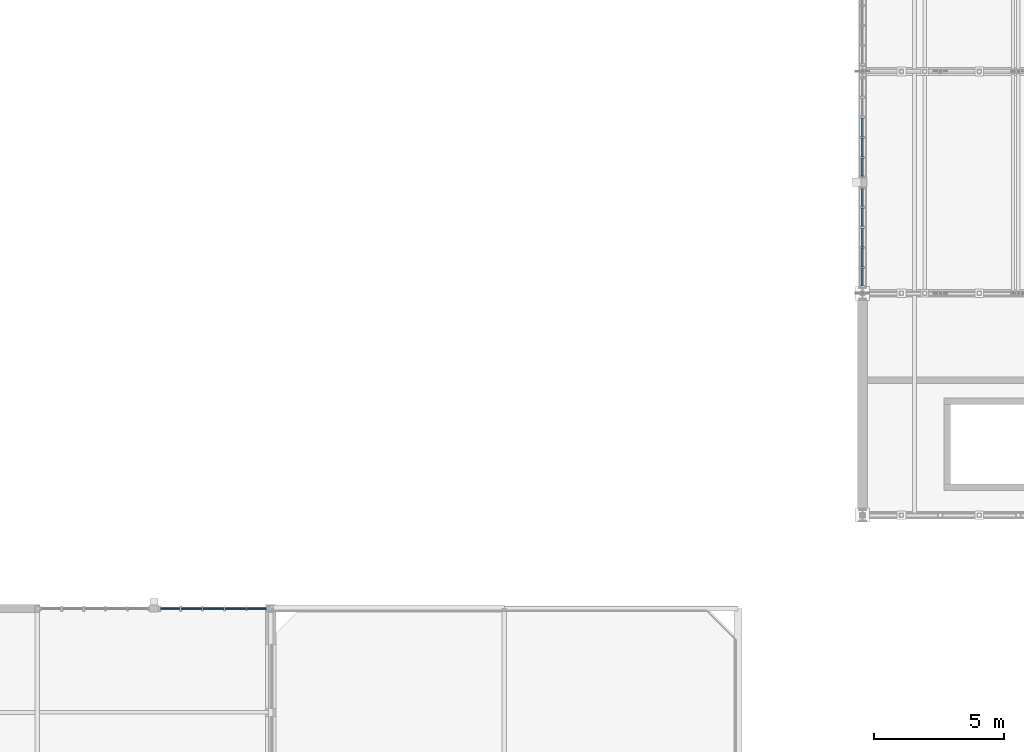
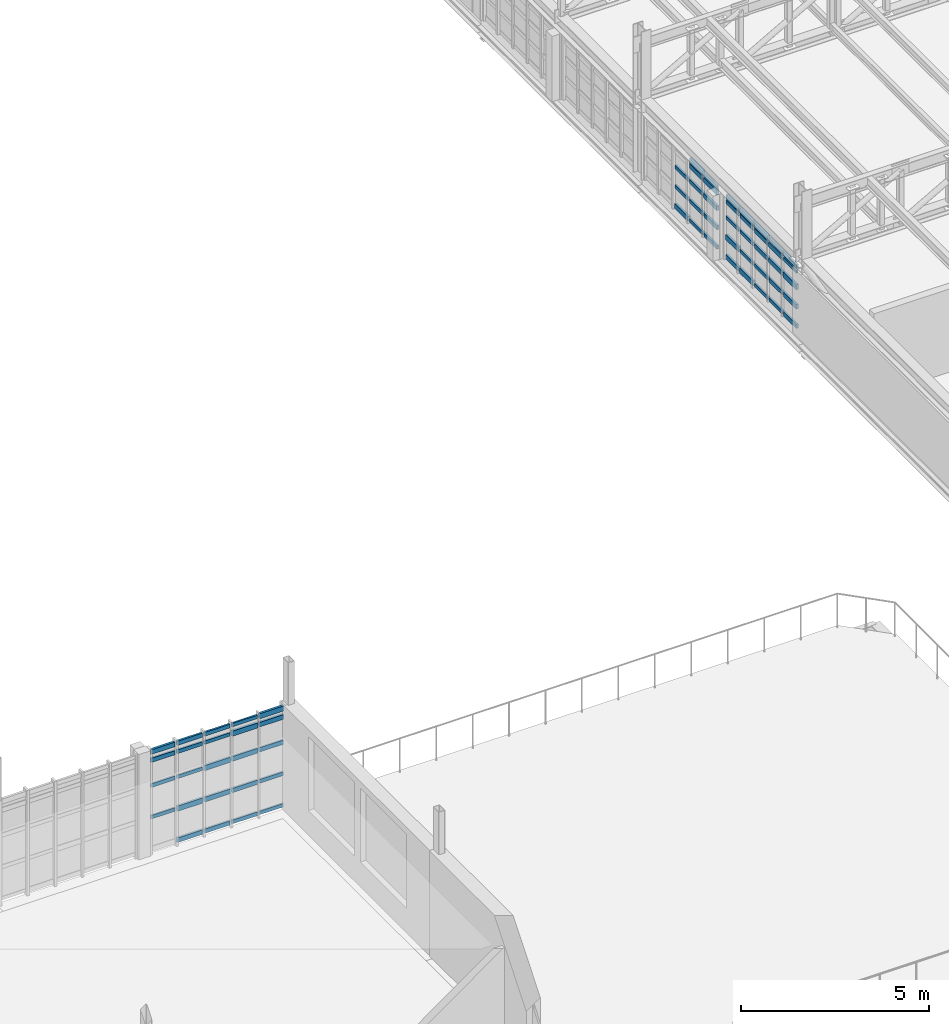
# One storey, part 75 of 128: 62 members, 3 elements without a shape of their own.
"""IFC4 building model written with IfcOpenShell, lengths in metres."""

from ifc_helpers import new_model, si_unit, direction, frame, origin, origin_2d, place, context, subcontext, project, spatial, rectangle, extrude, material, material_profile, profile_set, type_object, element, aggregate, save


model = new_model("IFC4")

# Units and contexts
model_context = context("Model", 3, precision=1e-05, world=origin(), true_north=direction((0.0, 1.0)))
body_context = subcontext(model_context, "Body", "Model", "MODEL_VIEW")
ifc_project = project(units=[si_unit("LENGTHUNIT", "METRE"), si_unit("AREAUNIT", "SQUARE_METRE"), si_unit("VOLUMEUNIT", "CUBIC_METRE"), si_unit("PLANEANGLEUNIT", "RADIAN"), si_unit("MASSUNIT", "GRAM", prefix="KILO")], contexts=[model_context])

# Site, building, storey
site_placement = place(None, origin())
site = spatial("IfcSite", under=ifc_project, at=site_placement, CompositionType="ELEMENT")
building_placement = place(site_placement, origin())
building = spatial("IfcBuilding", under=site, at=building_placement, Name="Serraforn Aerial Cableway Station", CompositionType="ELEMENT")
storey_placement = place(building_placement, frame((0.0, 0.0, 9.0)))
storey = spatial("IfcBuildingStorey", under=building, at=storey_placement, Name="L02", CompositionType="ELEMENT", Elevation=9.0)

# Curtain wall, members
ifc_material_1 = material(Name="Anodised bronze unitised curtain wall")
curtain_wall_type_1 = type_object("IfcCurtainWallType", Name="CW-SYS-1", PredefinedType="USERDEFINED", material=ifc_material_1)
curtain_wall_1_placement = place(storey_placement, origin())
curtain_wall_1 = element("IfcCurtainWall", 1, at=curtain_wall_1_placement, inside=storey, type_object=curtain_wall_type_1, Name="Unitised Curtain Wall CW-EL-L02-N3A", ObjectType="UNITISED CURTAIN WALL", PredefinedType="USERDEFINED")
ifc_material_2 = material(Name="Anodised bronze extruded aluminium", Category="aluminium")
ifc_material_profile_1 = material_profile(ifc_material_2, rectangle(XDim=0.054931640625, YDim=0.110107421875, at=origin_2d()), Name="CW TRANSOM 55x110")
ifc_profile_set_1 = profile_set([ifc_material_profile_1], Name="Anodised bronze extruded aluminium")
member_type_1 = type_object("IfcMemberType", Name="CW-TRN-1", PredefinedType="USERDEFINED", material=ifc_profile_set_1)
member_1_placement = place(storey_placement, frame((121.029052734375, 42.0, 0.13671875), z_axis=(-1.0, 0.0, 0.0), x_axis=(0.0, -1.0, 0.0)))
member_1 = element("IfcMember", 2, at=member_1_placement, type_object=member_type_1, Name="Curtain Wall Transom CW-EL-L02-N3A-T1-1", ObjectType="TRANSOM", PredefinedType="USERDEFINED", context=body_context, shape_type="SweptSolid", body=[
    extrude(rectangle(XDim=0.054931640625, YDim=0.110107421875, at=origin_2d()), origin(), (0.0, 0.0, 1.0), 0.745849609375),
])
member_2_placement = place(storey_placement, frame((120.232177734375, 42.0, 3.283203125), z_axis=(-1.0, 0.0, 0.0), x_axis=(0.0, -1.0, 0.0)))
member_2 = element("IfcMember", 3, at=member_2_placement, type_object=member_type_1, Name="Curtain Wall Transom CW-EL-L02-N3A-T2-5", ObjectType="TRANSOM", PredefinedType="USERDEFINED", context=body_context, shape_type="SweptSolid", body=[
    extrude(rectangle(XDim=0.054931640625, YDim=0.110107421875, at=origin_2d()), origin(), (0.0, 0.0, 1.0), 0.791015625),
])
member_3_placement = place(storey_placement, frame((119.38525390625, 42.0, 3.009521484375), z_axis=(-1.0, 0.0, 0.0), x_axis=(0.0, -1.0, 0.0)))
member_3 = element("IfcMember", 4, at=member_3_placement, type_object=member_type_1, Name="Curtain Wall Transom CW-EL-L02-N3A-T3-4", ObjectType="TRANSOM", PredefinedType="USERDEFINED", context=body_context, shape_type="SweptSolid", body=[
    extrude(rectangle(XDim=0.054931640625, YDim=0.110107421875, at=origin_2d()), origin(), (0.0, 0.0, 1.0), 0.785888671875),
])
member_4_placement = place(storey_placement, frame((118.538330078125, 42.0, 2.188720703125), z_axis=(-1.0, 0.0, 0.0), x_axis=(0.0, -1.0, 0.0)))
member_4 = element("IfcMember", 5, at=member_4_placement, type_object=member_type_1, Name="Curtain Wall Transom CW-EL-L02-N3A-T4-3", ObjectType="TRANSOM", PredefinedType="USERDEFINED", context=body_context, shape_type="SweptSolid", body=[
    extrude(rectangle(XDim=0.054931640625, YDim=0.110107421875, at=origin_2d()), origin(), (0.0, 0.0, 1.0), 0.781005859375),
])
member_5_placement = place(storey_placement, frame((117.69140625, 42.0, 1.162841796875), z_axis=(-1.0, 0.0, 0.0), x_axis=(0.0, -1.0, 0.0)))
member_5 = element("IfcMember", 6, at=member_5_placement, type_object=member_type_1, Name="Curtain Wall Transom CW-EL-L02-N3A-T5-2", ObjectType="TRANSOM", PredefinedType="USERDEFINED", context=body_context, shape_type="SweptSolid", body=[
    extrude(rectangle(XDim=0.054931640625, YDim=0.110107421875, at=origin_2d()), origin(), (0.0, 0.0, 1.0), 0.738525390625),
])

curtain_wall_type_2 = type_object("IfcCurtainWallType", Name="CW-SYS-23", PredefinedType="USERDEFINED", material=ifc_material_1)
curtain_wall_2_placement = place(storey_placement, origin())
curtain_wall_2 = element("IfcCurtainWall", 7, at=curtain_wall_2_placement, inside=storey, type_object=curtain_wall_type_2, Name="Unitised Curtain Wall CW-EG-L02-W2A", ObjectType="UNITISED CURTAIN WALL", PredefinedType="USERDEFINED")
member_6_placement = place(storey_placement, frame((144.0, 60.895263671875, 0.720703125), z_axis=(0.0, -1.0, 0.0), x_axis=(1.0, 0.0, 0.0)))
member_6 = element("IfcMember", 8, at=member_6_placement, type_object=member_type_1, Name="Curtain Wall Transom CW-EG-L02-W2A-T3-2", ObjectType="TRANSOM", PredefinedType="USERDEFINED", context=body_context, shape_type="SweptSolid", body=[
    extrude(rectangle(XDim=0.054931640625, YDim=0.110107421875, at=origin_2d()), origin(), (0.0, 0.0, 1.0), 0.7060546875),
])
member_7_placement = place(storey_placement, frame((144.0, 60.118408203125, 0.084716796875), z_axis=(0.0, -1.0, 0.0), x_axis=(1.0, 0.0, 0.0)))
member_7 = element("IfcMember", 9, at=member_7_placement, type_object=member_type_1, Name="Curtain Wall Transom CW-EG-L02-W2A-T4-1", ObjectType="TRANSOM", PredefinedType="USERDEFINED", context=body_context, shape_type="SweptSolid", body=[
    extrude(rectangle(XDim=0.054931640625, YDim=0.110107421875, at=origin_2d()), origin(), (0.0, 0.0, 1.0), 0.713623046875),
])
member_8_placement = place(storey_placement, frame((144.0, 59.35400390625, 2.03515625), z_axis=(0.0, -1.0, 0.0), x_axis=(1.0, 0.0, 0.0)))
member_8 = element("IfcMember", 10, at=member_8_placement, type_object=member_type_1, Name="Curtain Wall Transom CW-EG-L02-W2A-T5-5", ObjectType="TRANSOM", PredefinedType="USERDEFINED", context=body_context, shape_type="SweptSolid", body=[
    extrude(rectangle(XDim=0.054931640625, YDim=0.110107421875, at=origin_2d()), origin(), (0.0, 0.0, 1.0), 0.69091796875),
])

curtain_wall_type_3 = type_object("IfcCurtainWallType", Name="CW-SYS-24", PredefinedType="USERDEFINED", material=ifc_material_1)
curtain_wall_3_placement = place(storey_placement, origin())
curtain_wall_3 = element("IfcCurtainWall", 11, at=curtain_wall_3_placement, inside=storey, type_object=curtain_wall_type_3, Name="Unitised Curtain Wall CW-EG-L02-W2B", ObjectType="UNITISED CURTAIN WALL", PredefinedType="USERDEFINED")
member_9_placement = place(storey_placement, frame((144.0, 58.181884765625, 1.356689453125), z_axis=(0.0, -1.0, 0.0), x_axis=(1.0, 0.0, 0.0)))
member_9 = element("IfcMember", 12, at=member_9_placement, type_object=member_type_1, Name="Curtain Wall Transom CW-EG-L02-W2B-T1-3", ObjectType="TRANSOM", PredefinedType="USERDEFINED", context=body_context, shape_type="SweptSolid", body=[
    extrude(rectangle(XDim=0.054931640625, YDim=0.110107421875, at=origin_2d()), origin(), (0.0, 0.0, 1.0), 0.67822265625),
])
member_10_placement = place(storey_placement, frame((144.0, 57.4375, 0.720703125), z_axis=(0.0, -1.0, 0.0), x_axis=(1.0, 0.0, 0.0)))
member_10 = element("IfcMember", 13, at=member_10_placement, type_object=member_type_1, Name="Curtain Wall Transom CW-EG-L02-W2B-T2-2", ObjectType="TRANSOM", PredefinedType="USERDEFINED", context=body_context, shape_type="SweptSolid", body=[
    extrude(rectangle(XDim=0.054931640625, YDim=0.110107421875, at=origin_2d()), origin(), (0.0, 0.0, 1.0), 0.705810546875),
])
member_11_placement = place(storey_placement, frame((144.0, 56.66064453125, 0.084716796875), z_axis=(0.0, -1.0, 0.0), x_axis=(1.0, 0.0, 0.0)))
member_11 = element("IfcMember", 14, at=member_11_placement, type_object=member_type_1, Name="Curtain Wall Transom CW-EG-L02-W2B-T3-1", ObjectType="TRANSOM", PredefinedType="USERDEFINED", context=body_context, shape_type="SweptSolid", body=[
    extrude(rectangle(XDim=0.054931640625, YDim=0.110107421875, at=origin_2d()), origin(), (0.0, 0.0, 1.0), 0.71337890625),
])
member_12_placement = place(storey_placement, frame((144.0, 55.896240234375, 2.03515625), z_axis=(0.0, -1.0, 0.0), x_axis=(1.0, 0.0, 0.0)))
member_12 = element("IfcMember", 15, at=member_12_placement, type_object=member_type_1, Name="Curtain Wall Transom CW-EG-L02-W2B-T4-5", ObjectType="TRANSOM", PredefinedType="USERDEFINED", context=body_context, shape_type="SweptSolid", body=[
    extrude(rectangle(XDim=0.054931640625, YDim=0.110107421875, at=origin_2d()), origin(), (0.0, 0.0, 1.0), 0.720947265625),
])
member_13_placement = place(storey_placement, frame((144.0, 55.119384765625, 1.865478515625), z_axis=(0.0, -1.0, 0.0), x_axis=(1.0, 0.0, 0.0)))
member_13 = element("IfcMember", 16, at=member_13_placement, type_object=member_type_1, Name="Curtain Wall Transom CW-EG-L02-W2B-T5-4", ObjectType="TRANSOM", PredefinedType="USERDEFINED", context=body_context, shape_type="SweptSolid", body=[
    extrude(rectangle(XDim=0.054931640625, YDim=0.110107421875, at=origin_2d()), origin(), (0.0, 0.0, 1.0), 0.683349609375),
])

# Member
ifc_material_profile_2 = material_profile(ifc_material_2, rectangle(XDim=0.06005859375, YDim=0.1201171875, at=origin_2d()), Name="CW TRANSOM 60x120")
ifc_profile_set_2 = profile_set([ifc_material_profile_2], Name="Anodised bronze extruded aluminium")
member_type_2 = type_object("IfcMemberType", Name="CW-TRN-2", PredefinedType="USERDEFINED", material=ifc_profile_set_2)
member_14_placement = place(storey_placement, frame((121.029052734375, 42.0, 1.162841796875), z_axis=(-1.0, 0.0, 0.0), x_axis=(0.0, -1.0, 0.0)))
member_14 = element("IfcMember", 17, at=member_14_placement, type_object=member_type_2, Name="Curtain Wall Transom CW-EL-L02-N3A-T1-2", ObjectType="TRANSOM", PredefinedType="USERDEFINED", context=body_context, shape_type="SweptSolid", body=[
    extrude(rectangle(XDim=0.06005859375, YDim=0.1201171875, at=origin_2d()), origin(), (0.0, 0.0, 1.0), 0.745849609375),
])

member_15_placement = place(storey_placement, frame((120.232177734375, 42.0, 0.13671875), z_axis=(-1.0, 0.0, 0.0), x_axis=(0.0, -1.0, 0.0)))
member_15 = element("IfcMember", 18, at=member_15_placement, type_object=member_type_2, Name="Curtain Wall Transom CW-EL-L02-N3A-T2-1", ObjectType="TRANSOM", PredefinedType="USERDEFINED", context=body_context, shape_type="SweptSolid", body=[
    extrude(rectangle(XDim=0.06005859375, YDim=0.1201171875, at=origin_2d()), origin(), (0.0, 0.0, 1.0), 0.791015625),
])

member_16_placement = place(storey_placement, frame((119.38525390625, 42.0, 3.283203125), z_axis=(-1.0, 0.0, 0.0), x_axis=(0.0, -1.0, 0.0)))
member_16 = element("IfcMember", 19, at=member_16_placement, type_object=member_type_2, Name="Curtain Wall Transom CW-EL-L02-N3A-T3-5", ObjectType="TRANSOM", PredefinedType="USERDEFINED", context=body_context, shape_type="SweptSolid", body=[
    extrude(rectangle(XDim=0.06005859375, YDim=0.1201171875, at=origin_2d()), origin(), (0.0, 0.0, 1.0), 0.785888671875),
])

member_17_placement = place(storey_placement, frame((118.538330078125, 42.0, 3.009521484375), z_axis=(-1.0, 0.0, 0.0), x_axis=(0.0, -1.0, 0.0)))
member_17 = element("IfcMember", 20, at=member_17_placement, type_object=member_type_2, Name="Curtain Wall Transom CW-EL-L02-N3A-T4-4", ObjectType="TRANSOM", PredefinedType="USERDEFINED", context=body_context, shape_type="SweptSolid", body=[
    extrude(rectangle(XDim=0.06005859375, YDim=0.1201171875, at=origin_2d()), origin(), (0.0, 0.0, 1.0), 0.781005859375),
])

member_18_placement = place(storey_placement, frame((117.69140625, 42.0, 2.188720703125), z_axis=(-1.0, 0.0, 0.0), x_axis=(0.0, -1.0, 0.0)))
member_18 = element("IfcMember", 21, at=member_18_placement, type_object=member_type_2, Name="Curtain Wall Transom CW-EL-L02-N3A-T5-3", ObjectType="TRANSOM", PredefinedType="USERDEFINED", context=body_context, shape_type="SweptSolid", body=[
    extrude(rectangle(XDim=0.06005859375, YDim=0.1201171875, at=origin_2d()), origin(), (0.0, 0.0, 1.0), 0.738525390625),
])

member_19_placement = place(storey_placement, frame((144.0, 60.895263671875, 1.356689453125), z_axis=(0.0, -1.0, 0.0), x_axis=(1.0, 0.0, 0.0)))
member_19 = element("IfcMember", 22, at=member_19_placement, type_object=member_type_2, Name="Curtain Wall Transom CW-EG-L02-W2A-T3-3", ObjectType="TRANSOM", PredefinedType="USERDEFINED", context=body_context, shape_type="SweptSolid", body=[
    extrude(rectangle(XDim=0.06005859375, YDim=0.1201171875, at=origin_2d()), origin(), (0.0, 0.0, 1.0), 0.7060546875),
])

member_20_placement = place(storey_placement, frame((144.0, 60.118408203125, 0.720703125), z_axis=(0.0, -1.0, 0.0), x_axis=(1.0, 0.0, 0.0)))
member_20 = element("IfcMember", 23, at=member_20_placement, type_object=member_type_2, Name="Curtain Wall Transom CW-EG-L02-W2A-T4-2", ObjectType="TRANSOM", PredefinedType="USERDEFINED", context=body_context, shape_type="SweptSolid", body=[
    extrude(rectangle(XDim=0.06005859375, YDim=0.1201171875, at=origin_2d()), origin(), (0.0, 0.0, 1.0), 0.713623046875),
])

member_21_placement = place(storey_placement, frame((144.0, 59.35400390625, 0.084716796875), z_axis=(0.0, -1.0, 0.0), x_axis=(1.0, 0.0, 0.0)))
member_21 = element("IfcMember", 24, at=member_21_placement, type_object=member_type_2, Name="Curtain Wall Transom CW-EG-L02-W2A-T5-1", ObjectType="TRANSOM", PredefinedType="USERDEFINED", context=body_context, shape_type="SweptSolid", body=[
    extrude(rectangle(XDim=0.06005859375, YDim=0.1201171875, at=origin_2d()), origin(), (0.0, 0.0, 1.0), 0.69091796875),
])

member_22_placement = place(storey_placement, frame((144.0, 58.181884765625, 1.865478515625), z_axis=(0.0, -1.0, 0.0), x_axis=(1.0, 0.0, 0.0)))
member_22 = element("IfcMember", 25, at=member_22_placement, type_object=member_type_2, Name="Curtain Wall Transom CW-EG-L02-W2B-T1-4", ObjectType="TRANSOM", PredefinedType="USERDEFINED", context=body_context, shape_type="SweptSolid", body=[
    extrude(rectangle(XDim=0.06005859375, YDim=0.1201171875, at=origin_2d()), origin(), (0.0, 0.0, 1.0), 0.67822265625),
])

member_23_placement = place(storey_placement, frame((144.0, 57.4375, 1.356689453125), z_axis=(0.0, -1.0, 0.0), x_axis=(1.0, 0.0, 0.0)))
member_23 = element("IfcMember", 26, at=member_23_placement, type_object=member_type_2, Name="Curtain Wall Transom CW-EG-L02-W2B-T2-3", ObjectType="TRANSOM", PredefinedType="USERDEFINED", context=body_context, shape_type="SweptSolid", body=[
    extrude(rectangle(XDim=0.06005859375, YDim=0.1201171875, at=origin_2d()), origin(), (0.0, 0.0, 1.0), 0.705810546875),
])

member_24_placement = place(storey_placement, frame((144.0, 56.66064453125, 0.720703125), z_axis=(0.0, -1.0, 0.0), x_axis=(1.0, 0.0, 0.0)))
member_24 = element("IfcMember", 27, at=member_24_placement, type_object=member_type_2, Name="Curtain Wall Transom CW-EG-L02-W2B-T3-2", ObjectType="TRANSOM", PredefinedType="USERDEFINED", context=body_context, shape_type="SweptSolid", body=[
    extrude(rectangle(XDim=0.06005859375, YDim=0.1201171875, at=origin_2d()), origin(), (0.0, 0.0, 1.0), 0.71337890625),
])

member_25_placement = place(storey_placement, frame((144.0, 55.896240234375, 0.084716796875), z_axis=(0.0, -1.0, 0.0), x_axis=(1.0, 0.0, 0.0)))
member_25 = element("IfcMember", 28, at=member_25_placement, type_object=member_type_2, Name="Curtain Wall Transom CW-EG-L02-W2B-T4-1", ObjectType="TRANSOM", PredefinedType="USERDEFINED", context=body_context, shape_type="SweptSolid", body=[
    extrude(rectangle(XDim=0.06005859375, YDim=0.1201171875, at=origin_2d()), origin(), (0.0, 0.0, 1.0), 0.720947265625),
])

member_26_placement = place(storey_placement, frame((144.0, 55.119384765625, 2.03515625), z_axis=(0.0, -1.0, 0.0), x_axis=(1.0, 0.0, 0.0)))
member_26 = element("IfcMember", 29, at=member_26_placement, type_object=member_type_2, Name="Curtain Wall Transom CW-EG-L02-W2B-T5-5", ObjectType="TRANSOM", PredefinedType="USERDEFINED", context=body_context, shape_type="SweptSolid", body=[
    extrude(rectangle(XDim=0.06005859375, YDim=0.1201171875, at=origin_2d()), origin(), (0.0, 0.0, 1.0), 0.683349609375),
])

ifc_material_profile_3 = material_profile(ifc_material_2, rectangle(XDim=0.06494140625, YDim=0.135009765625, at=origin_2d()), Name="CW TRANSOM 65x135")
ifc_profile_set_3 = profile_set([ifc_material_profile_3], Name="Anodised bronze extruded aluminium")
member_type_3 = type_object("IfcMemberType", Name="CW-TRN-3", PredefinedType="USERDEFINED", material=ifc_profile_set_3)
member_27_placement = place(storey_placement, frame((121.029052734375, 42.0, 2.188720703125), z_axis=(-1.0, 0.0, 0.0), x_axis=(0.0, -1.0, 0.0)))
member_27 = element("IfcMember", 30, at=member_27_placement, type_object=member_type_3, Name="Curtain Wall Transom CW-EL-L02-N3A-T1-3", ObjectType="TRANSOM", PredefinedType="USERDEFINED", context=body_context, shape_type="SweptSolid", body=[
    extrude(rectangle(XDim=0.06494140625, YDim=0.135009765625, at=origin_2d()), origin(), (0.0, 0.0, 1.0), 0.745849609375),
])

member_28_placement = place(storey_placement, frame((120.232177734375, 42.0, 1.162841796875), z_axis=(-1.0, 0.0, 0.0), x_axis=(0.0, -1.0, 0.0)))
member_28 = element("IfcMember", 31, at=member_28_placement, type_object=member_type_3, Name="Curtain Wall Transom CW-EL-L02-N3A-T2-2", ObjectType="TRANSOM", PredefinedType="USERDEFINED", context=body_context, shape_type="SweptSolid", body=[
    extrude(rectangle(XDim=0.06494140625, YDim=0.135009765625, at=origin_2d()), origin(), (0.0, 0.0, 1.0), 0.791015625),
])

member_29_placement = place(storey_placement, frame((119.38525390625, 42.0, 0.13671875), z_axis=(-1.0, 0.0, 0.0), x_axis=(0.0, -1.0, 0.0)))
member_29 = element("IfcMember", 32, at=member_29_placement, type_object=member_type_3, Name="Curtain Wall Transom CW-EL-L02-N3A-T3-1", ObjectType="TRANSOM", PredefinedType="USERDEFINED", context=body_context, shape_type="SweptSolid", body=[
    extrude(rectangle(XDim=0.06494140625, YDim=0.135009765625, at=origin_2d()), origin(), (0.0, 0.0, 1.0), 0.785888671875),
])

member_30_placement = place(storey_placement, frame((118.538330078125, 42.0, 3.283203125), z_axis=(-1.0, 0.0, 0.0), x_axis=(0.0, -1.0, 0.0)))
member_30 = element("IfcMember", 33, at=member_30_placement, type_object=member_type_3, Name="Curtain Wall Transom CW-EL-L02-N3A-T4-5", ObjectType="TRANSOM", PredefinedType="USERDEFINED", context=body_context, shape_type="SweptSolid", body=[
    extrude(rectangle(XDim=0.06494140625, YDim=0.135009765625, at=origin_2d()), origin(), (0.0, 0.0, 1.0), 0.781005859375),
])

member_31_placement = place(storey_placement, frame((117.69140625, 42.0, 3.009521484375), z_axis=(-1.0, 0.0, 0.0), x_axis=(0.0, -1.0, 0.0)))
member_31 = element("IfcMember", 34, at=member_31_placement, type_object=member_type_3, Name="Curtain Wall Transom CW-EL-L02-N3A-T5-4", ObjectType="TRANSOM", PredefinedType="USERDEFINED", context=body_context, shape_type="SweptSolid", body=[
    extrude(rectangle(XDim=0.06494140625, YDim=0.135009765625, at=origin_2d()), origin(), (0.0, 0.0, 1.0), 0.738525390625),
])

member_32_placement = place(storey_placement, frame((144.0, 60.118408203125, 1.356689453125), z_axis=(0.0, -1.0, 0.0), x_axis=(1.0, 0.0, 0.0)))
member_32 = element("IfcMember", 35, at=member_32_placement, type_object=member_type_3, Name="Curtain Wall Transom CW-EG-L02-W2A-T4-3", ObjectType="TRANSOM", PredefinedType="USERDEFINED", context=body_context, shape_type="SweptSolid", body=[
    extrude(rectangle(XDim=0.06494140625, YDim=0.135009765625, at=origin_2d()), origin(), (0.0, 0.0, 1.0), 0.713623046875),
])

member_33_placement = place(storey_placement, frame((144.0, 59.35400390625, 0.720703125), z_axis=(0.0, -1.0, 0.0), x_axis=(1.0, 0.0, 0.0)))
member_33 = element("IfcMember", 36, at=member_33_placement, type_object=member_type_3, Name="Curtain Wall Transom CW-EG-L02-W2A-T5-2", ObjectType="TRANSOM", PredefinedType="USERDEFINED", context=body_context, shape_type="SweptSolid", body=[
    extrude(rectangle(XDim=0.06494140625, YDim=0.135009765625, at=origin_2d()), origin(), (0.0, 0.0, 1.0), 0.69091796875),
])

member_34_placement = place(storey_placement, frame((144.0, 58.181884765625, 2.03515625), z_axis=(0.0, -1.0, 0.0), x_axis=(1.0, 0.0, 0.0)))
member_34 = element("IfcMember", 37, at=member_34_placement, type_object=member_type_3, Name="Curtain Wall Transom CW-EG-L02-W2B-T1-5", ObjectType="TRANSOM", PredefinedType="USERDEFINED", context=body_context, shape_type="SweptSolid", body=[
    extrude(rectangle(XDim=0.06494140625, YDim=0.135009765625, at=origin_2d()), origin(), (0.0, 0.0, 1.0), 0.67822265625),
])

member_35_placement = place(storey_placement, frame((144.0, 57.4375, 1.865478515625), z_axis=(0.0, -1.0, 0.0), x_axis=(1.0, 0.0, 0.0)))
member_35 = element("IfcMember", 38, at=member_35_placement, type_object=member_type_3, Name="Curtain Wall Transom CW-EG-L02-W2B-T2-4", ObjectType="TRANSOM", PredefinedType="USERDEFINED", context=body_context, shape_type="SweptSolid", body=[
    extrude(rectangle(XDim=0.06494140625, YDim=0.135009765625, at=origin_2d()), origin(), (0.0, 0.0, 1.0), 0.705810546875),
])

member_36_placement = place(storey_placement, frame((144.0, 56.66064453125, 1.356689453125), z_axis=(0.0, -1.0, 0.0), x_axis=(1.0, 0.0, 0.0)))
member_36 = element("IfcMember", 39, at=member_36_placement, type_object=member_type_3, Name="Curtain Wall Transom CW-EG-L02-W2B-T3-3", ObjectType="TRANSOM", PredefinedType="USERDEFINED", context=body_context, shape_type="SweptSolid", body=[
    extrude(rectangle(XDim=0.06494140625, YDim=0.135009765625, at=origin_2d()), origin(), (0.0, 0.0, 1.0), 0.71337890625),
])

member_37_placement = place(storey_placement, frame((144.0, 55.896240234375, 0.720703125), z_axis=(0.0, -1.0, 0.0), x_axis=(1.0, 0.0, 0.0)))
member_37 = element("IfcMember", 40, at=member_37_placement, type_object=member_type_3, Name="Curtain Wall Transom CW-EG-L02-W2B-T4-2", ObjectType="TRANSOM", PredefinedType="USERDEFINED", context=body_context, shape_type="SweptSolid", body=[
    extrude(rectangle(XDim=0.06494140625, YDim=0.135009765625, at=origin_2d()), origin(), (0.0, 0.0, 1.0), 0.720947265625),
])

member_38_placement = place(storey_placement, frame((144.0, 55.119384765625, 0.084716796875), z_axis=(0.0, -1.0, 0.0), x_axis=(1.0, 0.0, 0.0)))
member_38 = element("IfcMember", 41, at=member_38_placement, type_object=member_type_3, Name="Curtain Wall Transom CW-EG-L02-W2B-T5-1", ObjectType="TRANSOM", PredefinedType="USERDEFINED", context=body_context, shape_type="SweptSolid", body=[
    extrude(rectangle(XDim=0.06494140625, YDim=0.135009765625, at=origin_2d()), origin(), (0.0, 0.0, 1.0), 0.683349609375),
])

ifc_material_profile_4 = material_profile(ifc_material_2, rectangle(XDim=0.070068359375, YDim=0.14990234375, at=origin_2d()), Name="CW TRANSOM 70x150")
ifc_profile_set_4 = profile_set([ifc_material_profile_4], Name="Anodised bronze extruded aluminium")
member_type_4 = type_object("IfcMemberType", Name="CW-TRN-4", PredefinedType="USERDEFINED", material=ifc_profile_set_4)
member_39_placement = place(storey_placement, frame((121.029052734375, 42.0, 3.009521484375), z_axis=(-1.0, 0.0, 0.0), x_axis=(0.0, -1.0, 0.0)))
member_39 = element("IfcMember", 42, at=member_39_placement, type_object=member_type_4, Name="Curtain Wall Transom CW-EL-L02-N3A-T1-4", ObjectType="TRANSOM", PredefinedType="USERDEFINED", context=body_context, shape_type="SweptSolid", body=[
    extrude(rectangle(XDim=0.070068359375, YDim=0.14990234375, at=origin_2d()), origin(), (0.0, 0.0, 1.0), 0.745849609375),
])

member_40_placement = place(storey_placement, frame((120.232177734375, 42.0, 2.188720703125), z_axis=(-1.0, 0.0, 0.0), x_axis=(0.0, -1.0, 0.0)))
member_40 = element("IfcMember", 43, at=member_40_placement, type_object=member_type_4, Name="Curtain Wall Transom CW-EL-L02-N3A-T2-3", ObjectType="TRANSOM", PredefinedType="USERDEFINED", context=body_context, shape_type="SweptSolid", body=[
    extrude(rectangle(XDim=0.070068359375, YDim=0.14990234375, at=origin_2d()), origin(), (0.0, 0.0, 1.0), 0.791015625),
])

member_41_placement = place(storey_placement, frame((119.38525390625, 42.0, 1.162841796875), z_axis=(-1.0, 0.0, 0.0), x_axis=(0.0, -1.0, 0.0)))
member_41 = element("IfcMember", 44, at=member_41_placement, type_object=member_type_4, Name="Curtain Wall Transom CW-EL-L02-N3A-T3-2", ObjectType="TRANSOM", PredefinedType="USERDEFINED", context=body_context, shape_type="SweptSolid", body=[
    extrude(rectangle(XDim=0.070068359375, YDim=0.14990234375, at=origin_2d()), origin(), (0.0, 0.0, 1.0), 0.785888671875),
])

member_42_placement = place(storey_placement, frame((118.538330078125, 42.0, 0.13671875), z_axis=(-1.0, 0.0, 0.0), x_axis=(0.0, -1.0, 0.0)))
member_42 = element("IfcMember", 45, at=member_42_placement, type_object=member_type_4, Name="Curtain Wall Transom CW-EL-L02-N3A-T4-1", ObjectType="TRANSOM", PredefinedType="USERDEFINED", context=body_context, shape_type="SweptSolid", body=[
    extrude(rectangle(XDim=0.070068359375, YDim=0.14990234375, at=origin_2d()), origin(), (0.0, 0.0, 1.0), 0.781005859375),
])

member_43_placement = place(storey_placement, frame((117.69140625, 42.0, 3.283203125), z_axis=(-1.0, 0.0, 0.0), x_axis=(0.0, -1.0, 0.0)))
member_43 = element("IfcMember", 46, at=member_43_placement, type_object=member_type_4, Name="Curtain Wall Transom CW-EL-L02-N3A-T5-5", ObjectType="TRANSOM", PredefinedType="USERDEFINED", context=body_context, shape_type="SweptSolid", body=[
    extrude(rectangle(XDim=0.070068359375, YDim=0.14990234375, at=origin_2d()), origin(), (0.0, 0.0, 1.0), 0.738525390625),
])

member_44_placement = place(storey_placement, frame((144.0, 60.118408203125, 1.865478515625), z_axis=(0.0, -1.0, 0.0), x_axis=(1.0, 0.0, 0.0)))
member_44 = element("IfcMember", 47, at=member_44_placement, type_object=member_type_4, Name="Curtain Wall Transom CW-EG-L02-W2A-T4-4", ObjectType="TRANSOM", PredefinedType="USERDEFINED", context=body_context, shape_type="SweptSolid", body=[
    extrude(rectangle(XDim=0.070068359375, YDim=0.14990234375, at=origin_2d()), origin(), (0.0, 0.0, 1.0), 0.713623046875),
])

member_45_placement = place(storey_placement, frame((144.0, 59.35400390625, 1.356689453125), z_axis=(0.0, -1.0, 0.0), x_axis=(1.0, 0.0, 0.0)))
member_45 = element("IfcMember", 48, at=member_45_placement, type_object=member_type_4, Name="Curtain Wall Transom CW-EG-L02-W2A-T5-3", ObjectType="TRANSOM", PredefinedType="USERDEFINED", context=body_context, shape_type="SweptSolid", body=[
    extrude(rectangle(XDim=0.070068359375, YDim=0.14990234375, at=origin_2d()), origin(), (0.0, 0.0, 1.0), 0.69091796875),
])

member_46_placement = place(storey_placement, frame((144.0, 58.181884765625, 0.084716796875), z_axis=(0.0, -1.0, 0.0), x_axis=(1.0, 0.0, 0.0)))
member_46 = element("IfcMember", 49, at=member_46_placement, type_object=member_type_4, Name="Curtain Wall Transom CW-EG-L02-W2B-T1-1", ObjectType="TRANSOM", PredefinedType="USERDEFINED", context=body_context, shape_type="SweptSolid", body=[
    extrude(rectangle(XDim=0.070068359375, YDim=0.14990234375, at=origin_2d()), origin(), (0.0, 0.0, 1.0), 0.67822265625),
])

member_47_placement = place(storey_placement, frame((144.0, 57.4375, 2.03515625), z_axis=(0.0, -1.0, 0.0), x_axis=(1.0, 0.0, 0.0)))
member_47 = element("IfcMember", 50, at=member_47_placement, type_object=member_type_4, Name="Curtain Wall Transom CW-EG-L02-W2B-T2-5", ObjectType="TRANSOM", PredefinedType="USERDEFINED", context=body_context, shape_type="SweptSolid", body=[
    extrude(rectangle(XDim=0.070068359375, YDim=0.14990234375, at=origin_2d()), origin(), (0.0, 0.0, 1.0), 0.705810546875),
])

member_48_placement = place(storey_placement, frame((144.0, 56.66064453125, 1.865478515625), z_axis=(0.0, -1.0, 0.0), x_axis=(1.0, 0.0, 0.0)))
member_48 = element("IfcMember", 51, at=member_48_placement, type_object=member_type_4, Name="Curtain Wall Transom CW-EG-L02-W2B-T3-4", ObjectType="TRANSOM", PredefinedType="USERDEFINED", context=body_context, shape_type="SweptSolid", body=[
    extrude(rectangle(XDim=0.070068359375, YDim=0.14990234375, at=origin_2d()), origin(), (0.0, 0.0, 1.0), 0.71337890625),
])

member_49_placement = place(storey_placement, frame((144.0, 55.896240234375, 1.356689453125), z_axis=(0.0, -1.0, 0.0), x_axis=(1.0, 0.0, 0.0)))
member_49 = element("IfcMember", 52, at=member_49_placement, type_object=member_type_4, Name="Curtain Wall Transom CW-EG-L02-W2B-T4-3", ObjectType="TRANSOM", PredefinedType="USERDEFINED", context=body_context, shape_type="SweptSolid", body=[
    extrude(rectangle(XDim=0.070068359375, YDim=0.14990234375, at=origin_2d()), origin(), (0.0, 0.0, 1.0), 0.720947265625),
])

member_50_placement = place(storey_placement, frame((144.0, 55.119384765625, 0.720703125), z_axis=(0.0, -1.0, 0.0), x_axis=(1.0, 0.0, 0.0)))
member_50 = element("IfcMember", 53, at=member_50_placement, type_object=member_type_4, Name="Curtain Wall Transom CW-EG-L02-W2B-T5-2", ObjectType="TRANSOM", PredefinedType="USERDEFINED", context=body_context, shape_type="SweptSolid", body=[
    extrude(rectangle(XDim=0.070068359375, YDim=0.14990234375, at=origin_2d()), origin(), (0.0, 0.0, 1.0), 0.683349609375),
])

ifc_material_profile_5 = material_profile(ifc_material_2, rectangle(XDim=0.074951171875, YDim=0.1650390625, at=origin_2d()), Name="CW TRANSOM 75x165")
ifc_profile_set_5 = profile_set([ifc_material_profile_5], Name="Anodised bronze extruded aluminium")
member_type_5 = type_object("IfcMemberType", Name="CW-TRN-5", PredefinedType="USERDEFINED", material=ifc_profile_set_5)
member_51_placement = place(storey_placement, frame((121.029052734375, 42.0, 3.283203125), z_axis=(-1.0, 0.0, 0.0), x_axis=(0.0, -1.0, 0.0)))
member_51 = element("IfcMember", 54, at=member_51_placement, type_object=member_type_5, Name="Curtain Wall Transom CW-EL-L02-N3A-T1-5", ObjectType="TRANSOM", PredefinedType="USERDEFINED", context=body_context, shape_type="SweptSolid", body=[
    extrude(rectangle(XDim=0.074951171875, YDim=0.1650390625, at=origin_2d()), origin(), (0.0, 0.0, 1.0), 0.745849609375),
])

member_52_placement = place(storey_placement, frame((120.232177734375, 42.0, 3.009521484375), z_axis=(-1.0, 0.0, 0.0), x_axis=(0.0, -1.0, 0.0)))
member_52 = element("IfcMember", 55, at=member_52_placement, type_object=member_type_5, Name="Curtain Wall Transom CW-EL-L02-N3A-T2-4", ObjectType="TRANSOM", PredefinedType="USERDEFINED", context=body_context, shape_type="SweptSolid", body=[
    extrude(rectangle(XDim=0.074951171875, YDim=0.1650390625, at=origin_2d()), origin(), (0.0, 0.0, 1.0), 0.791015625),
])

member_53_placement = place(storey_placement, frame((119.38525390625, 42.0, 2.188720703125), z_axis=(-1.0, 0.0, 0.0), x_axis=(0.0, -1.0, 0.0)))
member_53 = element("IfcMember", 56, at=member_53_placement, type_object=member_type_5, Name="Curtain Wall Transom CW-EL-L02-N3A-T3-3", ObjectType="TRANSOM", PredefinedType="USERDEFINED", context=body_context, shape_type="SweptSolid", body=[
    extrude(rectangle(XDim=0.074951171875, YDim=0.1650390625, at=origin_2d()), origin(), (0.0, 0.0, 1.0), 0.785888671875),
])

member_54_placement = place(storey_placement, frame((118.538330078125, 42.0, 1.162841796875), z_axis=(-1.0, 0.0, 0.0), x_axis=(0.0, -1.0, 0.0)))
member_54 = element("IfcMember", 57, at=member_54_placement, type_object=member_type_5, Name="Curtain Wall Transom CW-EL-L02-N3A-T4-2", ObjectType="TRANSOM", PredefinedType="USERDEFINED", context=body_context, shape_type="SweptSolid", body=[
    extrude(rectangle(XDim=0.074951171875, YDim=0.1650390625, at=origin_2d()), origin(), (0.0, 0.0, 1.0), 0.781005859375),
])

aggregate(curtain_wall_1, [member_1, member_14, member_27, member_39, member_51, member_15, member_28, member_40, member_52, member_2, member_29, member_41, member_53, member_3, member_16, member_42, member_54, member_4, member_17, member_30, member_5, member_18, member_31, member_43])

member_55_placement = place(storey_placement, frame((144.0, 60.895263671875, 0.084716796875), z_axis=(0.0, -1.0, 0.0), x_axis=(1.0, 0.0, 0.0)))
member_55 = element("IfcMember", 58, at=member_55_placement, type_object=member_type_5, Name="Curtain Wall Transom CW-EG-L02-W2A-T3-1", ObjectType="TRANSOM", PredefinedType="USERDEFINED", context=body_context, shape_type="SweptSolid", body=[
    extrude(rectangle(XDim=0.074951171875, YDim=0.1650390625, at=origin_2d()), origin(), (0.0, 0.0, 1.0), 0.7060546875),
])

member_56_placement = place(storey_placement, frame((144.0, 60.118408203125, 2.03515625), z_axis=(0.0, -1.0, 0.0), x_axis=(1.0, 0.0, 0.0)))
member_56 = element("IfcMember", 59, at=member_56_placement, type_object=member_type_5, Name="Curtain Wall Transom CW-EG-L02-W2A-T4-5", ObjectType="TRANSOM", PredefinedType="USERDEFINED", context=body_context, shape_type="SweptSolid", body=[
    extrude(rectangle(XDim=0.074951171875, YDim=0.1650390625, at=origin_2d()), origin(), (0.0, 0.0, 1.0), 0.713623046875),
])

member_57_placement = place(storey_placement, frame((144.0, 59.35400390625, 1.865478515625), z_axis=(0.0, -1.0, 0.0), x_axis=(1.0, 0.0, 0.0)))
member_57 = element("IfcMember", 60, at=member_57_placement, type_object=member_type_5, Name="Curtain Wall Transom CW-EG-L02-W2A-T5-4", ObjectType="TRANSOM", PredefinedType="USERDEFINED", context=body_context, shape_type="SweptSolid", body=[
    extrude(rectangle(XDim=0.074951171875, YDim=0.1650390625, at=origin_2d()), origin(), (0.0, 0.0, 1.0), 0.69091796875),
])

aggregate(curtain_wall_2, [member_55, member_6, member_19, member_7, member_20, member_32, member_44, member_56, member_21, member_33, member_45, member_57, member_8])

member_58_placement = place(storey_placement, frame((144.0, 58.181884765625, 0.720703125), z_axis=(0.0, -1.0, 0.0), x_axis=(1.0, 0.0, 0.0)))
member_58 = element("IfcMember", 61, at=member_58_placement, type_object=member_type_5, Name="Curtain Wall Transom CW-EG-L02-W2B-T1-2", ObjectType="TRANSOM", PredefinedType="USERDEFINED", context=body_context, shape_type="SweptSolid", body=[
    extrude(rectangle(XDim=0.074951171875, YDim=0.1650390625, at=origin_2d()), origin(), (0.0, 0.0, 1.0), 0.67822265625),
])

member_59_placement = place(storey_placement, frame((144.0, 57.4375, 0.084716796875), z_axis=(0.0, -1.0, 0.0), x_axis=(1.0, 0.0, 0.0)))
member_59 = element("IfcMember", 62, at=member_59_placement, type_object=member_type_5, Name="Curtain Wall Transom CW-EG-L02-W2B-T2-1", ObjectType="TRANSOM", PredefinedType="USERDEFINED", context=body_context, shape_type="SweptSolid", body=[
    extrude(rectangle(XDim=0.074951171875, YDim=0.1650390625, at=origin_2d()), origin(), (0.0, 0.0, 1.0), 0.705810546875),
])

member_60_placement = place(storey_placement, frame((144.0, 56.66064453125, 2.03515625), z_axis=(0.0, -1.0, 0.0), x_axis=(1.0, 0.0, 0.0)))
member_60 = element("IfcMember", 63, at=member_60_placement, type_object=member_type_5, Name="Curtain Wall Transom CW-EG-L02-W2B-T3-5", ObjectType="TRANSOM", PredefinedType="USERDEFINED", context=body_context, shape_type="SweptSolid", body=[
    extrude(rectangle(XDim=0.074951171875, YDim=0.1650390625, at=origin_2d()), origin(), (0.0, 0.0, 1.0), 0.71337890625),
])

member_61_placement = place(storey_placement, frame((144.0, 55.896240234375, 1.865478515625), z_axis=(0.0, -1.0, 0.0), x_axis=(1.0, 0.0, 0.0)))
member_61 = element("IfcMember", 64, at=member_61_placement, type_object=member_type_5, Name="Curtain Wall Transom CW-EG-L02-W2B-T4-4", ObjectType="TRANSOM", PredefinedType="USERDEFINED", context=body_context, shape_type="SweptSolid", body=[
    extrude(rectangle(XDim=0.074951171875, YDim=0.1650390625, at=origin_2d()), origin(), (0.0, 0.0, 1.0), 0.720947265625),
])

member_62_placement = place(storey_placement, frame((144.0, 55.119384765625, 1.356689453125), z_axis=(0.0, -1.0, 0.0), x_axis=(1.0, 0.0, 0.0)))
member_62 = element("IfcMember", 65, at=member_62_placement, type_object=member_type_5, Name="Curtain Wall Transom CW-EG-L02-W2B-T5-3", ObjectType="TRANSOM", PredefinedType="USERDEFINED", context=body_context, shape_type="SweptSolid", body=[
    extrude(rectangle(XDim=0.074951171875, YDim=0.1650390625, at=origin_2d()), origin(), (0.0, 0.0, 1.0), 0.683349609375),
])

aggregate(curtain_wall_3, [member_46, member_58, member_9, member_22, member_34, member_59, member_10, member_23, member_35, member_47, member_11, member_24, member_36, member_48, member_60, member_25, member_37, member_49, member_61, member_12, member_38, member_50, member_62, member_13, member_26])

save(model, "model.ifc")
